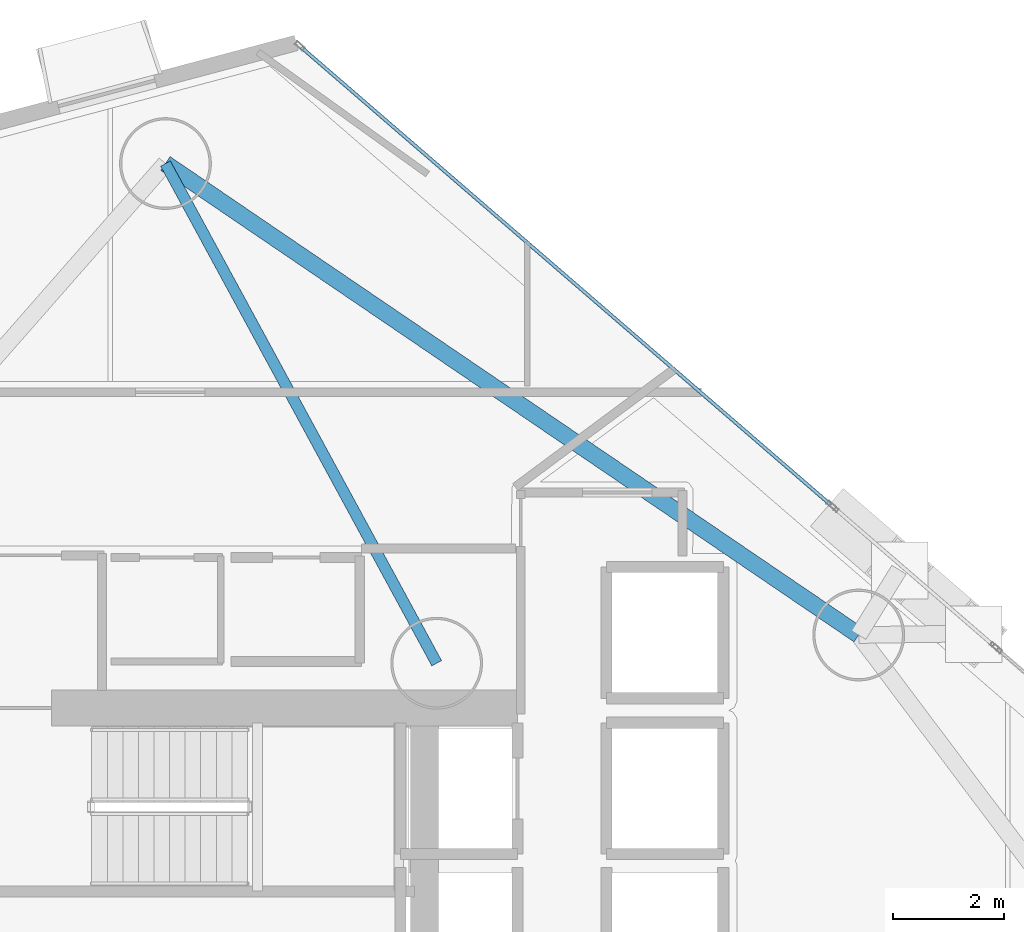
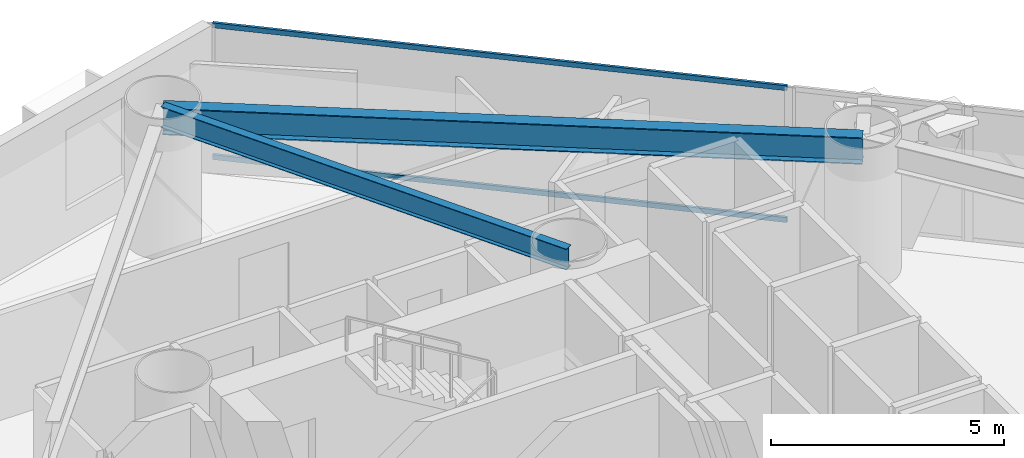
# One storey, part 11 of 23: 2 beams, 2 members, 1 element without a shape of its own.
"""IFC4 building model written with IfcOpenShell, lengths in metres."""

from ifc_helpers import new_model, si_unit, direction, frame, origin, origin_2d, place, context, subcontext, project, spatial, hollow_rectangle, i_section, extrude, material, layer, layer_set, material_profile, profile_set, type_object, element, aggregate, save


model = new_model("IFC4")

# Units and contexts
model_context = context("Model", 3, precision=1e-05, world=origin(), true_north=direction((0.0, 1.0)))
body_context = subcontext(model_context, "Body", "Model", "MODEL_VIEW")
ifc_project = project(units=[si_unit("LENGTHUNIT", "METRE"), si_unit("AREAUNIT", "SQUARE_METRE"), si_unit("VOLUMEUNIT", "CUBIC_METRE"), si_unit("PLANEANGLEUNIT", "RADIAN"), si_unit("MASSUNIT", "GRAM", prefix="KILO")], contexts=[model_context])

# Site, building, storey
site_placement = place(None, origin())
site = spatial("IfcSite", under=ifc_project, at=site_placement, CompositionType="ELEMENT")
building_placement = place(site_placement, origin())
building = spatial("IfcBuilding", under=site, at=building_placement, Name="Qianvela Tower", CompositionType="ELEMENT")
storey_placement = place(building_placement, frame((0.0, 0.0, 74.699951171875)))
storey = spatial("IfcBuildingStorey", under=building, at=storey_placement, Name="L18", CompositionType="ELEMENT", Elevation=74.699951171875)

# Beams
ifc_material_1 = material(Name="Steel Q355B", Category="steel")
ifc_material_profile_1 = material_profile(ifc_material_1, i_section(OverallWidth=0.199951171875, OverallDepth=0.550048828125, WebThickness=0.010009765625, FlangeThickness=0.01611328125, at=origin_2d()), Name="HN550x200x10x16")
ifc_profile_set_1 = profile_set([ifc_material_profile_1], Name="Steel Q355B")
beam_type_1 = type_object("IfcBeamType", Name="BM-HN550-GIRD", PredefinedType="BEAM", material=ifc_profile_set_1)
beam_1_placement = place(storey_placement, frame((38.39990234375, 33.550048828125, 3.2431640625), z_axis=(-0.477069714043, 0.878865454972, 0.0), x_axis=(-0.878865454972, -0.477069714043, 0.0)))
element("IfcBeam", 1, at=beam_1_placement, inside=storey, type_object=beam_type_1, Name="L18 Radial Primary Floor Girder 3", PredefinedType="BEAM", context=body_context, shape_type="SweptSolid", body=[
    extrude(i_section(OverallWidth=0.199951171875, OverallDepth=0.550048828125, WebThickness=0.010009765625, FlangeThickness=0.01611328125, at=origin_2d()), origin(), (0.0, 0.0, 1.0), 10.216552734375),
])
ifc_material_2 = material(Name="Steel Q355B", Category="steel")
ifc_material_profile_2 = material_profile(ifc_material_2, i_section(OverallWidth=0.300048828125, OverallDepth=0.699951171875, WebThickness=0.012939453125, FlangeThickness=0.02392578125, at=origin_2d()), Name="HN700x300x13x24")
ifc_profile_set_2 = profile_set([ifc_material_profile_2], Name="Steel Q355B")
beam_type_2 = type_object("IfcBeamType", Name="BM-HN700-SPAND", PredefinedType="SPANDREL", material=ifc_profile_set_2)
beam_2_placement = place(storey_placement, frame((45.98388671875, 34.056884765625, 3.16796875), z_axis=(-0.826904197504, 0.562342820839, 0.0), x_axis=(-0.562342820839, -0.826904197504, 0.0)))
element("IfcBeam", 2, at=beam_2_placement, inside=storey, type_object=beam_type_2, Name="L18 Perimeter Ring Spandrel Girder 2", PredefinedType="SPANDREL", context=body_context, shape_type="SweptSolid", body=[
    extrude(i_section(OverallWidth=0.300048828125, OverallDepth=0.699951171875, WebThickness=0.012939453125, FlangeThickness=0.02392578125, at=origin_2d()), origin(), (0.0, 0.0, 1.0), 15.06591796875),
])

# Curtain wall, members
ifc_material_3 = material(Name="Anodised Architectural Aluminium and Low-E Glass", Category="aluminium")
ifc_layer = layer(ifc_material_3, 0.179931640625)
ifc_layer_set = layer_set([ifc_layer], Name="Anodised Architectural Aluminium and Low-E Glass")
curtain_wall_type = type_object("IfcCurtainWallType", Name="CW-COLIV-Z12", PredefinedType="USERDEFINED", material=ifc_layer_set)
curtain_wall_placement = place(storey_placement, origin())
curtain_wall = element("IfcCurtainWall", 3, at=curtain_wall_placement, inside=storey, type_object=curtain_wall_type, Name="L18 CW-COLIV-Z12 Curtain Wall 02C", ObjectType="CURTAIN_WALL_SYSTEM", PredefinedType="USERDEFINED")
ifc_material_4 = material(Name="Anodised Architectural Aluminium 6063-T6", Category="aluminium")
ifc_material_profile_3 = material_profile(ifc_material_4, hollow_rectangle(XDim=0.06494140625, YDim=0.1298828125, WallThickness=0.00439453125, at=origin_2d()), Name="ALU-TRAN-65x130")
ifc_profile_set_3 = profile_set([ifc_material_profile_3], Name="Anodised Architectural Aluminium 6063-T6")
member_type = type_object("IfcMemberType", Name="CW-COLIV-Z12-TRAN", PredefinedType="USERDEFINED", material=ifc_profile_set_3)
member_1_placement = place(storey_placement, frame((45.466064453125, 36.409423828125, 0.032470703125), z_axis=(-0.756612224025, 0.653863856208, 0.0), x_axis=(-0.653863856208, -0.756612224025, 0.0)))
member_1 = element("IfcMember", 4, at=member_1_placement, type_object=member_type, Name="CW-3 transom 1.1", ObjectType="TRANSOM", PredefinedType="USERDEFINED", context=body_context, shape_type="SweptSolid", body=[
    extrude(hollow_rectangle(XDim=0.06494140625, YDim=0.1298828125, WallThickness=0.00439453125, at=origin_2d()), origin(), (0.0, 0.0, 1.0), 12.555419921875),
])
member_2_placement = place(storey_placement, frame((45.466064453125, 36.409423828125, 3.487548828125), z_axis=(-0.756612224025, 0.653863856208, 0.0), x_axis=(-0.653863856208, -0.756612224025, 0.0)))
member_2 = element("IfcMember", 5, at=member_2_placement, type_object=member_type, Name="CW-3 transom 1.2", ObjectType="TRANSOM", PredefinedType="USERDEFINED", context=body_context, shape_type="SweptSolid", body=[
    extrude(hollow_rectangle(XDim=0.06494140625, YDim=0.1298828125, WallThickness=0.00439453125, at=origin_2d()), origin(), (0.0, 0.0, 1.0), 12.555419921875),
])
aggregate(curtain_wall, [member_1, member_2])

save(model, "model.ifc")
